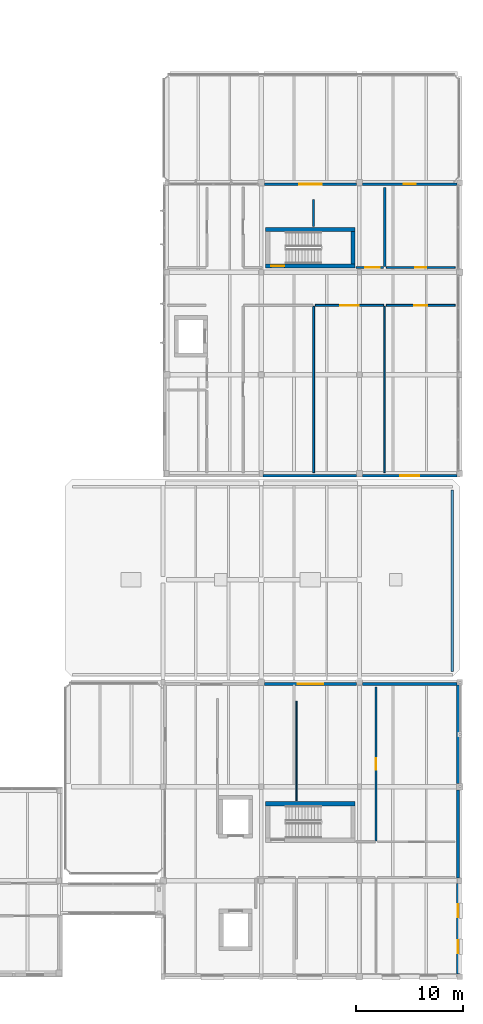
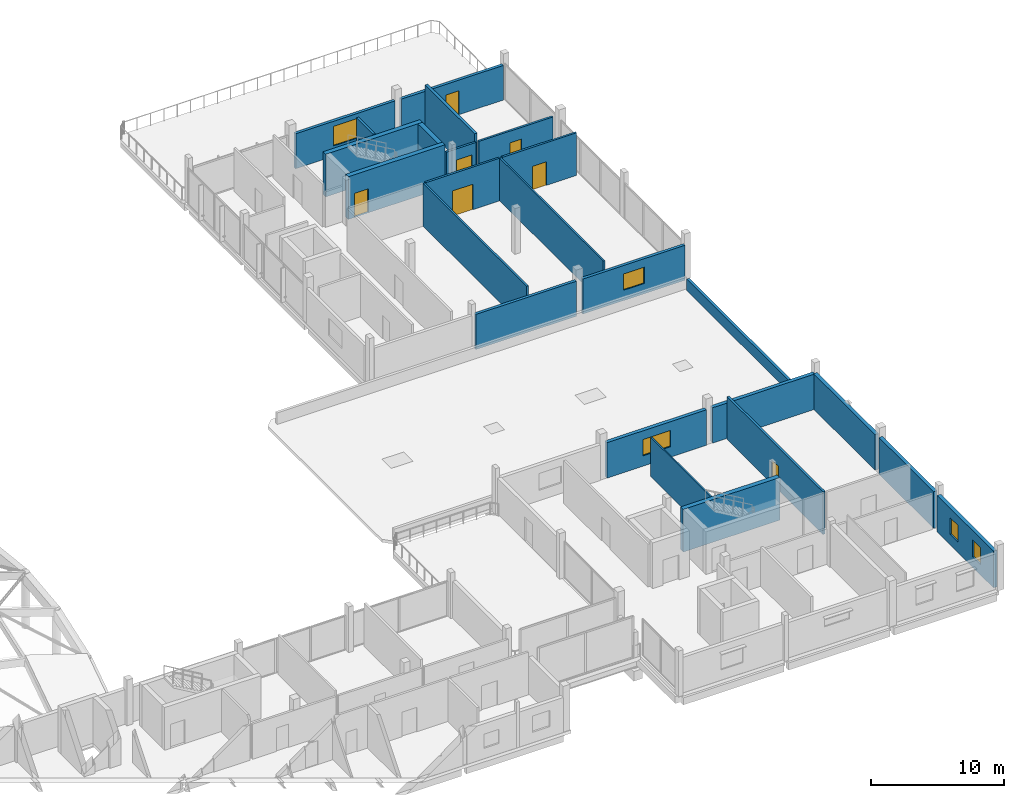
# One storey, part 29 of 41: 24 walls, 7 doors, 5 windows, 12 openings.
"""IFC4 building model written with IfcOpenShell, lengths in metres."""

from ifc_helpers import new_model, si_unit, direction, frame, frame_2d, origin, place, context, subcontext, project, spatial, rectangle, extrude, material, layer, layer_set, type_object, element, fill, save


model = new_model("IFC4")

# Units and contexts
model_context = context("Model", 3, precision=1e-05, world=origin(), true_north=direction((0.0, 1.0)))
body_context = subcontext(model_context, "Body", "Model", "MODEL_VIEW")
ifc_project = project(units=[si_unit("LENGTHUNIT", "METRE"), si_unit("AREAUNIT", "SQUARE_METRE"), si_unit("VOLUMEUNIT", "CUBIC_METRE"), si_unit("PLANEANGLEUNIT", "RADIAN"), si_unit("MASSUNIT", "GRAM", prefix="KILO")], contexts=[model_context])

# Site, building, storey
site_placement = place(None, origin())
site = spatial("IfcSite", under=ifc_project, at=site_placement, CompositionType="ELEMENT")
building_placement = place(site_placement, origin())
building = spatial("IfcBuilding", under=site, at=building_placement, Name="Birchvale Park Specialist Clinic", CompositionType="ELEMENT")
storey_placement = place(building_placement, frame((0.0, 0.0, 9.60009765625)))
storey = spatial("IfcBuildingStorey", under=building, at=storey_placement, Name="L02", CompositionType="ELEMENT", Elevation=9.60009765625)

# Wall, opening, door
ifc_material_1 = material(Name="Concrete C40/50", Category="concrete")
ifc_layer_1 = layer(ifc_material_1, 0.39990234375)
ifc_layer_set_1 = layer_set([ifc_layer_1], Name="Concrete C40/50")
wall_type_1 = type_object("IfcWallType", Name="WL-CW-120", PredefinedType="SHEAR", material=ifc_layer_set_1)
wall_1_placement = place(storey_placement, frame((137.60009765625, 83.39990234375, 0.0), z_axis=(0.0, 0.0, 1.0), x_axis=(1.0, 0.0, 0.0)))
wall_1 = element("IfcWall", 1, at=wall_1_placement, inside=storey, type_object=wall_type_1, Name="L02 stair ST3 EI 120 enclosure wall (south)", PredefinedType="SHEAR", context=body_context, shape_type="SweptSolid", body=[
    extrude(rectangle(XDim=8.39990234375, YDim=0.39990234375, at=frame_2d((4.199951171875, 0.0))), origin(), (0.0, 0.0, 1.0), 3.919921875),
])
opening_1_placement = place(wall_1_placement, frame((0.52001953125, 0.0, 0.0)))
opening_1 = element("IfcOpeningElement", 2, at=opening_1_placement, cuts=wall_1, Name="Opening ID-FD60", PredefinedType="OPENING", context=body_context, shape_type="SweptSolid", body=[
    extrude(rectangle(XDim=1.25, YDim=2.199951171875, at=frame_2d((0.625, 1.10009765625))), frame((0.0, 0.2099609375, 0.0), z_axis=(0.0, -1.0, 0.0), x_axis=(1.0, 0.0, 0.0)), (0.0, 0.0, 1.0), 0.419921875),
])
ifc_material_2 = material(Name="Solid-core birch veneer and anodised aluminium", Category="aluminium")
door_type_1 = type_object("IfcDoorType", Name="DR-ID-FD60", OperationType="NOTDEFINED", PredefinedType="DOOR", material=ifc_material_2)
door_1_placement = place(opening_1_placement, origin())
door_1 = element("IfcDoor", 3, at=door_1_placement, inside=storey, type_object=door_type_1, Name="L02 stair ST3 fire door", OperationType="SINGLE_SWING_RIGHT", OverallHeight=2.199951171875, OverallWidth=1.25, PredefinedType="DOOR", context=body_context, shape_type="SweptSolid", body=[
    extrude(rectangle(XDim=1.25, YDim=2.199951171875, at=frame_2d((0.625, 1.10009765625))), frame((0.0, 0.02490234375, 0.0), z_axis=(0.0, -1.0, 0.0), x_axis=(1.0, 0.0, 0.0)), (0.0, 0.0, 1.0), 0.050048828125),
])
fill(opening_1, door_1)

# Walls
wall_2_placement = place(storey_placement, frame((146.0, 86.800048828125, 0.0), z_axis=(0.0, 0.0, 1.0), x_axis=(-1.0, 0.0, 0.0)))
element("IfcWall", 4, at=wall_2_placement, inside=storey, type_object=wall_type_1, Name="L02 stair ST3 EI 120 enclosure wall (north)", PredefinedType="SHEAR", context=body_context, shape_type="SweptSolid", body=[
    extrude(rectangle(XDim=8.39990234375, YDim=0.39990234375, at=frame_2d((4.199951171875, 0.0))), origin(), (0.0, 0.0, 1.0), 3.919921875),
])
wall_3_placement = place(storey_placement, frame((145.800048828125, 86.60009765625, 0.0), z_axis=(0.0, 0.0, 1.0), x_axis=(0.0, -1.0, 0.0)))
element("IfcWall", 5, at=wall_3_placement, inside=storey, type_object=wall_type_1, Name="L02 stair ST3 EI 120 enclosure wall (east)", PredefinedType="SHEAR", context=body_context, shape_type="SweptSolid", body=[
    extrude(rectangle(XDim=3.0, YDim=0.39990234375, at=frame_2d((1.5, 0.0))), origin(), (0.0, 0.0, 1.0), 3.919921875),
])
wall_4_placement = place(storey_placement, frame((146.0, 33.0, 0.0), z_axis=(0.0, 0.0, 1.0), x_axis=(-1.0, 0.0, 0.0)))
element("IfcWall", 6, at=wall_4_placement, inside=storey, type_object=wall_type_1, Name="L02 stair ST6 EI 120 enclosure wall (north)", PredefinedType="SHEAR", context=body_context, shape_type="SweptSolid", body=[
    extrude(rectangle(XDim=8.39990234375, YDim=0.39990234375, at=frame_2d((4.199951171875, 0.0))), origin(), (0.0, 0.0, 1.0), 3.919921875),
])

# Wall, openings, windows
ifc_material_3 = material(Name="Lime-white mineral-rendered insulated masonry", Category="masonry")
ifc_layer_2 = layer(ifc_material_3, 0.31005859375)
ifc_layer_set_2 = layer_set([ifc_layer_2], Name="Lime-white mineral-rendered insulated masonry")
wall_type_2 = type_object("IfcWallType", Name="WL-EW-02", PredefinedType="STANDARD", material=ifc_layer_set_2)
wall_5_placement = place(storey_placement, frame((155.625, 17.070068359375, 0.0), z_axis=(0.0, 0.0, 1.0), x_axis=(0.0, 1.0, 0.0)))
wall_5 = element("IfcWall", 7, at=wall_5_placement, inside=storey, type_object=wall_type_2, Name="V5 L02 exterior facade wall 215", PredefinedType="STANDARD", context=body_context, shape_type="SweptSolid", body=[
    extrude(rectangle(XDim=8.4599609375, YDim=0.31005859375, at=frame_2d((4.22998046875, 0.0))), origin(), (0.0, 0.0, 1.0), 3.364990234375),
])
opening_2_placement = place(wall_5_placement, frame((1.9130859375, 0.0, 0.949951171875)))
opening_2 = element("IfcOpeningElement", 8, at=opening_2_placement, cuts=wall_5, Name="Opening W-CL14", PredefinedType="OPENING", context=body_context, shape_type="SweptSolid", body=[
    extrude(rectangle(XDim=1.25, YDim=1.550048828125, at=frame_2d((0.625, 0.77490234375))), frame((0.0, 0.1650390625, 0.0), z_axis=(0.0, -1.0, 0.0), x_axis=(1.0, 0.0, 0.0)), (0.0, 0.0, 1.0), 0.330078125),
])
opening_3_placement = place(wall_5_placement, frame((5.297119140625, 0.0, 0.949951171875)))
opening_3 = element("IfcOpeningElement", 9, at=opening_3_placement, cuts=wall_5, Name="Opening W-CL14", PredefinedType="OPENING", context=body_context, shape_type="SweptSolid", body=[
    extrude(rectangle(XDim=1.25, YDim=1.550048828125, at=frame_2d((0.625, 0.77490234375))), frame((0.0, 0.1650390625, 0.0), z_axis=(0.0, -1.0, 0.0), x_axis=(1.0, 0.0, 0.0)), (0.0, 0.0, 1.0), 0.330078125),
])
ifc_material_4 = material(Name="Solar-control low-E double glazing", Category="glass")
window_type_1 = type_object("IfcWindowType", Name="WIN-W-CL14", PartitioningType="SINGLE_PANEL", PredefinedType="WINDOW", material=ifc_material_4)
window_1_placement = place(opening_2_placement, origin())
window_1 = element("IfcWindow", 10, at=window_1_placement, inside=storey, type_object=window_type_1, Name="V5 L02 cased window 83", OverallHeight=1.550048828125, OverallWidth=1.25, PartitioningType="SINGLE_PANEL", PredefinedType="WINDOW", context=body_context, shape_type="SweptSolid", body=[
    extrude(rectangle(XDim=1.25, YDim=1.550048828125, at=frame_2d((0.625, 0.77490234375))), frame((0.0, 0.030029296875, 0.0), z_axis=(0.0, -1.0, 0.0), x_axis=(1.0, 0.0, 0.0)), (0.0, 0.0, 1.0), 0.06005859375),
])
fill(opening_2, window_1)
window_2_placement = place(opening_3_placement, origin())
window_2 = element("IfcWindow", 11, at=window_2_placement, inside=storey, type_object=window_type_1, Name="V5 L02 cased window 84", OverallHeight=1.550048828125, OverallWidth=1.25, PartitioningType="SINGLE_PANEL", PredefinedType="WINDOW", context=body_context, shape_type="SweptSolid", body=[
    extrude(rectangle(XDim=1.25, YDim=1.550048828125, at=frame_2d((0.625, 0.77490234375))), frame((0.0, 0.030029296875, 0.0), z_axis=(0.0, -1.0, 0.0), x_axis=(1.0, 0.0, 0.0)), (0.0, 0.0, 1.0), 0.06005859375),
])
fill(opening_3, window_2)

# Walls
wall_6_placement = place(storey_placement, frame((155.625, 26.070068359375, 0.0), z_axis=(0.0, 0.0, 1.0), x_axis=(0.0, 1.0, 0.0)))
element("IfcWall", 12, at=wall_6_placement, inside=storey, type_object=wall_type_2, Name="V5 L02 exterior facade wall 216", PredefinedType="STANDARD", context=body_context, shape_type="SweptSolid", body=[
    extrude(rectangle(XDim=8.23486328125, YDim=0.31005859375, at=frame_2d((4.117431640625, 0.0))), origin(), (0.0, 0.0, 1.0), 3.364990234375),
])
wall_7_placement = place(storey_placement, frame((155.625, 34.89501953125, 0.0), z_axis=(0.0, 0.0, 1.0), x_axis=(0.0, 1.0, 0.0)))
element("IfcWall", 13, at=wall_7_placement, inside=storey, type_object=wall_type_2, Name="V5 L02 exterior facade wall 217", PredefinedType="STANDARD", context=body_context, shape_type="SweptSolid", body=[
    extrude(rectangle(XDim=9.260009765625, YDim=0.31005859375, at=frame_2d((4.6298828125, 0.0))), origin(), (0.0, 0.0, 1.0), 3.264892578125),
])
wall_8_placement = place(storey_placement, frame((155.554931640625, 44.22509765625, 0.0), z_axis=(0.0, 0.0, 1.0), x_axis=(-1.0, 0.0, 0.0)))
element("IfcWall", 14, at=wall_8_placement, inside=storey, type_object=wall_type_2, Name="V5 L02 exterior facade wall 218", PredefinedType="STANDARD", context=body_context, shape_type="SweptSolid", body=[
    extrude(rectangle(XDim=8.885009765625, YDim=0.31005859375, at=frame_2d((4.4423828125, 0.0))), origin(), (0.0, 0.0, 1.0), 3.2548828125),
])

# Wall, opening, window
wall_9_placement = place(storey_placement, frame((146.1298828125, 44.22509765625, 0.0), z_axis=(0.0, 0.0, 1.0), x_axis=(-1.0, 0.0, 0.0)))
wall_9 = element("IfcWall", 15, at=wall_9_placement, inside=storey, type_object=wall_type_2, Name="V5 L02 exterior facade wall 219", PredefinedType="STANDARD", context=body_context, shape_type="SweptSolid", body=[
    extrude(rectangle(XDim=8.634765625, YDim=0.31005859375, at=frame_2d((4.3173828125, 0.0))), origin(), (0.0, 0.0, 1.0), 3.2548828125),
])
opening_4_placement = place(wall_9_placement, frame((3.117431640625, 0.0, 0.949951171875)))
opening_4 = element("IfcOpeningElement", 16, at=opening_4_placement, cuts=wall_9, Name="Opening W-CL08", PredefinedType="OPENING", context=body_context, shape_type="SweptSolid", body=[
    extrude(rectangle(XDim=2.39990234375, YDim=1.5, at=frame_2d((1.199951171875, 0.75))), frame((0.0, 0.1650390625, 0.0), z_axis=(0.0, -1.0, 0.0), x_axis=(1.0, 0.0, 0.0)), (0.0, 0.0, 1.0), 0.330078125),
])
window_type_2 = type_object("IfcWindowType", Name="WIN-W-CL08", PartitioningType="SINGLE_PANEL", PredefinedType="WINDOW", material=ifc_material_4)
window_3_placement = place(opening_4_placement, origin())
window_3 = element("IfcWindow", 17, at=window_3_placement, inside=storey, type_object=window_type_2, Name="V5 L02 cased window 85", OverallHeight=1.5, OverallWidth=2.39990234375, PartitioningType="SINGLE_PANEL", PredefinedType="WINDOW", context=body_context, shape_type="SweptSolid", body=[
    extrude(rectangle(XDim=2.39990234375, YDim=1.5, at=frame_2d((1.199951171875, 0.75))), frame((0.0, 0.030029296875, 0.0), z_axis=(0.0, -1.0, 0.0), x_axis=(1.0, 0.0, 0.0)), (0.0, 0.0, 1.0), 0.06005859375),
])
fill(opening_4, window_3)

# Wall
ifc_layer_3 = layer(ifc_material_3, 0.25)
ifc_layer_set_3 = layer_set([ifc_layer_3], Name="Lime-white mineral-rendered insulated masonry")
wall_type_3 = type_object("IfcWallType", Name="WL-EW-05", PredefinedType="STANDARD", material=ifc_layer_set_3)
wall_10_placement = place(storey_placement, frame((137.3798828125, 63.7451171875, 0.0), z_axis=(0.0, 0.0, 1.0), x_axis=(1.0, 0.0, 0.0)))
element("IfcWall", 18, at=wall_10_placement, inside=storey, type_object=wall_type_3, Name="V6 L02 exterior facade wall 223", PredefinedType="STANDARD", context=body_context, shape_type="SweptSolid", body=[
    extrude(rectangle(XDim=8.735107421875, YDim=0.25, at=frame_2d((4.36767578125, 0.0))), origin(), (0.0, 0.0, 1.0), 3.219970703125),
])

# Wall, opening, window
wall_11_placement = place(storey_placement, frame((146.68505859375, 63.7451171875, 0.0), z_axis=(0.0, 0.0, 1.0), x_axis=(1.0, 0.0, 0.0)))
wall_11 = element("IfcWall", 19, at=wall_11_placement, inside=storey, type_object=wall_type_3, Name="V6 L02 exterior facade wall 224", PredefinedType="STANDARD", context=body_context, shape_type="SweptSolid", body=[
    extrude(rectangle(XDim=8.85498046875, YDim=0.25, at=frame_2d((4.427490234375, 0.0))), origin(), (0.0, 0.0, 1.0), 3.219970703125),
])
opening_5_placement = place(wall_11_placement, frame((3.527587890625, 0.0, 0.949951171875)))
opening_5 = element("IfcOpeningElement", 20, at=opening_5_placement, cuts=wall_11, Name="Opening W-CL05", PredefinedType="OPENING", context=body_context, shape_type="SweptSolid", body=[
    extrude(rectangle(XDim=1.800048828125, YDim=1.5, at=frame_2d((0.89990234375, 0.75))), frame((0.0, 0.135009765625, 0.0), z_axis=(0.0, -1.0, 0.0), x_axis=(1.0, 0.0, 0.0)), (0.0, 0.0, 1.0), 0.27001953125),
])
window_type_3 = type_object("IfcWindowType", Name="WIN-W-CL05", PartitioningType="SINGLE_PANEL", PredefinedType="WINDOW", material=ifc_material_4)
window_4_placement = place(opening_5_placement, origin())
window_4 = element("IfcWindow", 21, at=window_4_placement, inside=storey, type_object=window_type_3, Name="V6 L02 cased window 87", OverallHeight=1.5, OverallWidth=1.800048828125, PartitioningType="SINGLE_PANEL", PredefinedType="WINDOW", context=body_context, shape_type="SweptSolid", body=[
    extrude(rectangle(XDim=1.800048828125, YDim=1.5, at=frame_2d((0.89990234375, 0.75))), frame((0.0, 0.030029296875, 0.0), z_axis=(0.0, -1.0, 0.0), x_axis=(1.0, 0.0, 0.0)), (0.0, 0.0, 1.0), 0.06005859375),
])
fill(opening_5, window_4)

# Wall, opening, door
wall_12_placement = place(storey_placement, frame((155.554931640625, 91.054931640625, 0.0), z_axis=(0.0, 0.0, 1.0), x_axis=(-1.0, 0.0, 0.0)))
wall_12 = element("IfcWall", 22, at=wall_12_placement, inside=storey, type_object=wall_type_3, Name="V6 L02 exterior facade wall 225", PredefinedType="STANDARD", context=body_context, shape_type="SweptSolid", body=[
    extrude(rectangle(XDim=8.885009765625, YDim=0.25, at=frame_2d((4.4423828125, 0.0))), origin(), (0.0, 0.0, 1.0), 3.184814453125),
])
opening_6_placement = place(wall_12_placement, frame((3.867431640625, 0.0, 0.0)))
opening_6 = element("IfcOpeningElement", 23, at=opening_6_placement, cuts=wall_12, Name="Opening ED-05", PredefinedType="OPENING", context=body_context, shape_type="SweptSolid", body=[
    extrude(rectangle(XDim=1.14990234375, YDim=2.199951171875, at=frame_2d((0.574951171875, 1.10009765625))), frame((0.0, 0.135009765625, 0.0), z_axis=(0.0, -1.0, 0.0), x_axis=(1.0, 0.0, 0.0)), (0.0, 0.0, 1.0), 0.27001953125),
])
ifc_material_5 = material(Name="Powder-coated aluminium and laminated safety glass", Category="aluminium")
door_type_2 = type_object("IfcDoorType", Name="DR-ED-05", OperationType="NOTDEFINED", PredefinedType="DOOR", material=ifc_material_5)
door_2_placement = place(opening_6_placement, frame((1.14990234375, 0.0, 0.0), z_axis=(0.0, 0.0, 1.0), x_axis=(-1.0, 0.0, 0.0)))
door_2 = element("IfcDoor", 24, at=door_2_placement, inside=storey, type_object=door_type_2, Name="V6 L02 accessible roof terrace door 36", OperationType="SINGLE_SWING_LEFT", OverallHeight=2.199951171875, OverallWidth=1.14990234375, PredefinedType="DOOR", context=body_context, shape_type="SweptSolid", body=[
    extrude(rectangle(XDim=1.14990234375, YDim=2.199951171875, at=frame_2d((0.574951171875, 1.10009765625))), frame((0.0, 0.02490234375, 0.0), z_axis=(0.0, -1.0, 0.0), x_axis=(1.0, 0.0, 0.0)), (0.0, 0.0, 1.0), 0.050048828125),
])
fill(opening_6, door_2)

# Wall, opening, window
wall_13_placement = place(storey_placement, frame((146.1298828125, 91.054931640625, 0.0), z_axis=(0.0, 0.0, 1.0), x_axis=(-1.0, 0.0, 0.0)))
wall_13 = element("IfcWall", 25, at=wall_13_placement, inside=storey, type_object=wall_type_3, Name="V6 L02 exterior facade wall 226", PredefinedType="STANDARD", context=body_context, shape_type="SweptSolid", body=[
    extrude(rectangle(XDim=8.634765625, YDim=0.25, at=frame_2d((4.3173828125, 0.0))), origin(), (0.0, 0.0, 1.0), 3.21484375),
])
opening_7_placement = place(wall_13_placement, frame((3.267578125, 0.0, 0.949951171875)))
opening_7 = element("IfcOpeningElement", 26, at=opening_7_placement, cuts=wall_13, Name="Opening W-CL07", PredefinedType="OPENING", context=body_context, shape_type="SweptSolid", body=[
    extrude(rectangle(XDim=2.10009765625, YDim=1.800048828125, at=frame_2d((1.050048828125, 0.89990234375))), frame((0.0, 0.135009765625, 0.0), z_axis=(0.0, -1.0, 0.0), x_axis=(1.0, 0.0, 0.0)), (0.0, 0.0, 1.0), 0.27001953125),
])
window_type_4 = type_object("IfcWindowType", Name="WIN-W-CL07", PartitioningType="SINGLE_PANEL", PredefinedType="WINDOW", material=ifc_material_4)
window_5_placement = place(opening_7_placement, origin())
window_5 = element("IfcWindow", 27, at=window_5_placement, inside=storey, type_object=window_type_4, Name="V6 L02 cased window 88", OverallHeight=1.800048828125, OverallWidth=2.10009765625, PartitioningType="SINGLE_PANEL", PredefinedType="WINDOW", context=body_context, shape_type="SweptSolid", body=[
    extrude(rectangle(XDim=2.10009765625, YDim=1.800048828125, at=frame_2d((1.050048828125, 0.89990234375))), frame((0.0, 0.030029296875, 0.0), z_axis=(0.0, -1.0, 0.0), x_axis=(1.0, 0.0, 0.0)), (0.0, 0.0, 1.0), 0.06005859375),
])
fill(opening_7, window_5)

# Walls
ifc_material_6 = material(Name="Acoustic gypsum board on metal framing")
ifc_layer_4 = layer(ifc_material_6, 0.1650390625)
ifc_layer_set_4 = layer_set([ifc_layer_4], Name="Acoustic gypsum board on metal framing")
wall_type_4 = type_object("IfcWallType", Name="WL-IW-01", PredefinedType="PARTITIONING", material=ifc_layer_set_4)
wall_14_placement = place(storey_placement, frame((142.106689453125, 79.6201171875, 0.0), z_axis=(0.0, 0.0, 1.0), x_axis=(0.0, -1.0, 0.0)))
element("IfcWall", 28, at=wall_14_placement, inside=storey, type_object=wall_type_4, Name="V6 L02 clinical partition 478", PredefinedType="PARTITIONING", context=body_context, shape_type="SweptSolid", body=[
    extrude(rectangle(XDim=15.580078125, YDim=0.1650390625, at=frame_2d((7.7900390625, 0.0))), origin(), (0.0, 0.0, 1.0), 3.919921875),
])
ifc_layer_5 = layer(ifc_material_6, 0.14990234375)
ifc_layer_set_5 = layer_set([ifc_layer_5], Name="Acoustic gypsum board on metal framing")
wall_type_5 = type_object("IfcWallType", Name="WL-IW-02", PredefinedType="PARTITIONING", material=ifc_layer_set_5)
wall_15_placement = place(storey_placement, frame((148.75341796875, 79.6201171875, 0.0), z_axis=(0.0, 0.0, 1.0), x_axis=(0.0, -1.0, 0.0)))
element("IfcWall", 29, at=wall_15_placement, inside=storey, type_object=wall_type_5, Name="V6 L02 clinical partition 481", PredefinedType="PARTITIONING", context=body_context, shape_type="SweptSolid", body=[
    extrude(rectangle(XDim=15.580078125, YDim=0.14990234375, at=frame_2d((7.7900390625, 0.0))), origin(), (0.0, 0.0, 1.0), 3.919921875),
])
ifc_layer_6 = layer(ifc_material_6, 0.125)
ifc_layer_set_6 = layer_set([ifc_layer_6], Name="Acoustic gypsum board on metal framing")
wall_type_6 = type_object("IfcWallType", Name="WL-IW-04", PredefinedType="PARTITIONING", material=ifc_layer_set_6)
wall_16_placement = place(storey_placement, frame((140.506591796875, 42.625, 0.0), z_axis=(0.0, 0.0, 1.0), x_axis=(0.0, -1.0, 0.0)))
element("IfcWall", 30, at=wall_16_placement, inside=storey, type_object=wall_type_6, Name="V5 L02 clinical partition 469", PredefinedType="PARTITIONING", context=body_context, shape_type="SweptSolid", body=[
    extrude(rectangle(XDim=9.324951171875, YDim=0.125, at=frame_2d((4.66259765625, 0.0))), origin(), (0.0, 0.0, 1.0), 3.598876953125),
])

# Wall, opening, door
ifc_layer_7 = layer(ifc_material_6, 0.195068359375)
ifc_layer_set_7 = layer_set([ifc_layer_7], Name="Acoustic gypsum board on metal framing")
wall_type_7 = type_object("IfcWallType", Name="WL-IW-07", PredefinedType="PARTITIONING", material=ifc_layer_set_7)
wall_17_placement = place(storey_placement, frame((147.953369140625, 43.9599609375, 0.0), z_axis=(0.0, 0.0, 1.0), x_axis=(0.0, -1.0, 0.0)))
wall_17 = element("IfcWall", 31, at=wall_17_placement, inside=storey, type_object=wall_type_7, Name="V5 L02 clinical partition 470", PredefinedType="PARTITIONING", context=body_context, shape_type="SweptSolid", body=[
    extrude(rectangle(XDim=14.429931640625, YDim=0.195068359375, at=frame_2d((7.21484375, 0.0))), origin(), (0.0, 0.0, 1.0), 3.919921875),
])
opening_8_placement = place(wall_17_placement, frame((6.675048828125, 0.0, 0.0)))
opening_8 = element("IfcOpeningElement", 32, at=opening_8_placement, cuts=wall_17, Name="Opening ID-03", PredefinedType="OPENING", context=body_context, shape_type="SweptSolid", body=[
    extrude(rectangle(XDim=1.080078125, YDim=2.199951171875, at=frame_2d((0.5400390625, 1.10009765625))), frame((0.0, 0.107421875, 0.0), z_axis=(0.0, -1.0, 0.0), x_axis=(1.0, 0.0, 0.0)), (0.0, 0.0, 1.0), 0.215087890625),
])
door_type_3 = type_object("IfcDoorType", Name="DR-ID-03", OperationType="NOTDEFINED", PredefinedType="DOOR", material=ifc_material_2)
door_3_placement = place(opening_8_placement, origin())
door_3 = element("IfcDoor", 33, at=door_3_placement, inside=storey, type_object=door_type_3, Name="V5 L02 clinical suite door 321", OperationType="SINGLE_SWING_LEFT", OverallHeight=2.199951171875, OverallWidth=1.080078125, PredefinedType="DOOR", context=body_context, shape_type="SweptSolid", body=[
    extrude(rectangle(XDim=1.080078125, YDim=2.199951171875, at=frame_2d((0.5400390625, 1.10009765625))), frame((0.0, 0.02490234375, 0.0), z_axis=(0.0, -1.0, 0.0), x_axis=(1.0, 0.0, 0.0)), (0.0, 0.0, 1.0), 0.050048828125),
])
fill(opening_8, door_3)

# Walls
wall_18_placement = place(storey_placement, frame((142.106689453125, 89.60498046875, 0.0), z_axis=(0.0, 0.0, 1.0), x_axis=(0.0, -1.0, 0.0)))
element("IfcWall", 34, at=wall_18_placement, inside=storey, type_object=wall_type_7, Name="V6 L02 clinical partition 487", PredefinedType="PARTITIONING", context=body_context, shape_type="SweptSolid", body=[
    extrude(rectangle(XDim=2.5048828125, YDim=0.195068359375, at=frame_2d((1.25244140625, 0.0))), origin(), (0.0, 0.0, 1.0), 3.919921875),
])
ifc_layer_8 = layer(ifc_material_6, 0.239990234375)
ifc_layer_set_8 = layer_set([ifc_layer_8], Name="Acoustic gypsum board on metal framing")
wall_type_8 = type_object("IfcWallType", Name="WL-IW-08", PredefinedType="PARTITIONING", material=ifc_layer_set_8)
wall_19_placement = place(storey_placement, frame((148.75341796875, 90.760009765625, 0.0), z_axis=(0.0, 0.0, 1.0), x_axis=(0.0, -1.0, 0.0)))
element("IfcWall", 35, at=wall_19_placement, inside=storey, type_object=wall_type_8, Name="V6 L02 clinical partition 488", PredefinedType="PARTITIONING", context=body_context, shape_type="SweptSolid", body=[
    extrude(rectangle(XDim=7.429931640625, YDim=0.239990234375, at=frame_2d((3.71484375, 0.0))), origin(), (0.0, 0.0, 1.0), 3.919921875),
])

# Wall, opening, door
ifc_layer_9 = layer(ifc_material_6, 0.179931640625)
ifc_layer_set_9 = layer_set([ifc_layer_9], Name="Acoustic gypsum board on metal framing")
wall_type_9 = type_object("IfcWallType", Name="WL-IW-60", PredefinedType="PARTITIONING", material=ifc_layer_set_9)
wall_20_placement = place(storey_placement, frame((142.2666015625, 79.699951171875, 0.0), z_axis=(0.0, 0.0, 1.0), x_axis=(1.0, 0.0, 0.0)))
wall_20 = element("IfcWall", 36, at=wall_20_placement, inside=storey, type_object=wall_type_9, Name="V6 L02 clinical partition 480", PredefinedType="PARTITIONING", context=body_context, shape_type="SweptSolid", body=[
    extrude(rectangle(XDim=6.40673828125, YDim=0.179931640625, at=frame_2d((3.203369140625, 0.0))), origin(), (0.0, 0.0, 1.0), 3.919921875),
])
opening_9_placement = place(wall_20_placement, frame((2.328369140625, 0.0, 0.0)))
opening_9 = element("IfcOpeningElement", 37, at=opening_9_placement, cuts=wall_20, Name="Opening ID-09", PredefinedType="OPENING", context=body_context, shape_type="SweptSolid", body=[
    extrude(rectangle(XDim=1.75, YDim=2.35009765625, at=frame_2d((0.875, 1.175048828125))), frame((0.0, 0.10009765625, 0.0), z_axis=(0.0, -1.0, 0.0), x_axis=(1.0, 0.0, 0.0)), (0.0, 0.0, 1.0), 0.199951171875),
])
door_type_4 = type_object("IfcDoorType", Name="DR-ID-09", OperationType="DOUBLE_DOOR_SINGLE_SWING", PredefinedType="DOOR", material=ifc_material_2)
door_4_placement = place(opening_9_placement, origin())
door_4 = element("IfcDoor", 38, at=door_4_placement, inside=storey, type_object=door_type_4, Name="L02 Clinical Seminar Room door", OperationType="DOUBLE_DOOR_SINGLE_SWING", OverallHeight=2.35009765625, OverallWidth=1.75, PredefinedType="DOOR", context=body_context, shape_type="SweptSolid", body=[
    extrude(rectangle(XDim=1.75, YDim=2.35009765625, at=frame_2d((0.875, 1.175048828125))), frame((0.0, 0.02490234375, 0.0), z_axis=(0.0, -1.0, 0.0), x_axis=(1.0, 0.0, 0.0)), (0.0, 0.0, 1.0), 0.050048828125),
])
fill(opening_9, door_4)

wall_21_placement = place(storey_placement, frame((148.913330078125, 79.699951171875, 0.0), z_axis=(0.0, 0.0, 1.0), x_axis=(1.0, 0.0, 0.0)))
wall_21 = element("IfcWall", 39, at=wall_21_placement, inside=storey, type_object=wall_type_9, Name="V6 L02 clinical partition 482", PredefinedType="PARTITIONING", context=body_context, shape_type="SweptSolid", body=[
    extrude(rectangle(XDim=6.44677734375, YDim=0.179931640625, at=frame_2d((3.223388671875, 0.0))), origin(), (0.0, 0.0, 1.0), 3.919921875),
])
opening_10_placement = place(wall_21_placement, frame((2.61328125, 0.0, 0.0)))
opening_10 = element("IfcOpeningElement", 40, at=opening_10_placement, cuts=wall_21, Name="Opening ID-10", PredefinedType="OPENING", context=body_context, shape_type="SweptSolid", body=[
    extrude(rectangle(XDim=1.219970703125, YDim=2.179931640625, at=frame_2d((0.60986328125, 1.08984375))), frame((0.0, 0.10009765625, 0.0), z_axis=(0.0, -1.0, 0.0), x_axis=(1.0, 0.0, 0.0)), (0.0, 0.0, 1.0), 0.199951171875),
])
door_type_5 = type_object("IfcDoorType", Name="DR-ID-10", OperationType="NOTDEFINED", PredefinedType="DOOR", material=ifc_material_2)
door_5_placement = place(opening_10_placement, origin())
door_5 = element("IfcDoor", 41, at=door_5_placement, inside=storey, type_object=door_type_5, Name="L02 Immunotherapy Research Laboratory door", OperationType="SINGLE_SWING_RIGHT", OverallHeight=2.179931640625, OverallWidth=1.219970703125, PredefinedType="DOOR", context=body_context, shape_type="SweptSolid", body=[
    extrude(rectangle(XDim=1.219970703125, YDim=2.179931640625, at=frame_2d((0.60986328125, 1.08984375))), frame((0.0, 0.02490234375, 0.0), z_axis=(0.0, -1.0, 0.0), x_axis=(1.0, 0.0, 0.0)), (0.0, 0.0, 1.0), 0.050048828125),
])
fill(opening_10, door_5)

wall_22_placement = place(storey_placement, frame((148.67333984375, 83.25, 0.0), z_axis=(0.0, 0.0, 1.0), x_axis=(-1.0, 0.0, 0.0)))
wall_22 = element("IfcWall", 42, at=wall_22_placement, inside=storey, type_object=wall_type_9, Name="V6 L02 clinical partition 489", PredefinedType="PARTITIONING", context=body_context, shape_type="SweptSolid", body=[
    extrude(rectangle(XDim=2.5732421875, YDim=0.179931640625, at=frame_2d((1.28662109375, 0.0))), origin(), (0.0, 0.0, 1.0), 3.224853515625),
])
opening_11_placement = place(wall_22_placement, frame((0.36181640625, 0.0, 0.0)))
opening_11 = element("IfcOpeningElement", 43, at=opening_11_placement, cuts=wall_22, Name="Opening ID-FD30", PredefinedType="OPENING", context=body_context, shape_type="SweptSolid", body=[
    extrude(rectangle(XDim=1.35009765625, YDim=2.199951171875, at=frame_2d((0.675048828125, 1.10009765625))), frame((0.0, 0.10009765625, 0.0), z_axis=(0.0, -1.0, 0.0), x_axis=(1.0, 0.0, 0.0)), (0.0, 0.0, 1.0), 0.199951171875),
])
door_type_6 = type_object("IfcDoorType", Name="DR-ID-FD30", OperationType="NOTDEFINED", PredefinedType="DOOR", material=ifc_material_2)
door_6_placement = place(opening_11_placement, origin())
door_6 = element("IfcDoor", 44, at=door_6_placement, inside=storey, type_object=door_type_6, Name="L02 Cell-Culture Cleanroom Lab door", OperationType="SINGLE_SWING_LEFT", OverallHeight=2.199951171875, OverallWidth=1.35009765625, PredefinedType="DOOR", context=body_context, shape_type="SweptSolid", body=[
    extrude(rectangle(XDim=1.35009765625, YDim=2.199951171875, at=frame_2d((0.675048828125, 1.10009765625))), frame((0.0, 0.02490234375, 0.0), z_axis=(0.0, -1.0, 0.0), x_axis=(1.0, 0.0, 0.0)), (0.0, 0.0, 1.0), 0.050048828125),
])
fill(opening_11, door_6)

wall_23_placement = place(storey_placement, frame((155.360107421875, 83.25, 0.0), z_axis=(0.0, 0.0, 1.0), x_axis=(-1.0, 0.0, 0.0)))
wall_23 = element("IfcWall", 45, at=wall_23_placement, inside=storey, type_object=wall_type_9, Name="V6 L02 clinical partition 490", PredefinedType="PARTITIONING", context=body_context, shape_type="SweptSolid", body=[
    extrude(rectangle(XDim=6.44677734375, YDim=0.179931640625, at=frame_2d((3.223388671875, 0.0))), origin(), (0.0, 0.0, 1.0), 3.224853515625),
])
opening_12_placement = place(wall_23_placement, frame((2.723388671875, 0.0, 0.0)))
opening_12 = element("IfcOpeningElement", 46, at=opening_12_placement, cuts=wall_23, Name="Opening ID-01", PredefinedType="OPENING", context=body_context, shape_type="SweptSolid", body=[
    extrude(rectangle(XDim=1.0, YDim=2.14990234375, at=frame_2d((0.5, 1.074951171875))), frame((0.0, 0.10009765625, 0.0), z_axis=(0.0, -1.0, 0.0), x_axis=(1.0, 0.0, 0.0)), (0.0, 0.0, 1.0), 0.199951171875),
])
door_type_7 = type_object("IfcDoorType", Name="DR-ID-01", OperationType="NOTDEFINED", PredefinedType="DOOR", material=ifc_material_2)
door_7_placement = place(opening_12_placement, origin())
door_7 = element("IfcDoor", 47, at=door_7_placement, inside=storey, type_object=door_type_7, Name="L02 Simulation Teaching Studio door", OperationType="SINGLE_SWING_RIGHT", OverallHeight=2.14990234375, OverallWidth=1.0, PredefinedType="DOOR", context=body_context, shape_type="SweptSolid", body=[
    extrude(rectangle(XDim=1.0, YDim=2.14990234375, at=frame_2d((0.5, 1.074951171875))), frame((0.0, 0.02490234375, 0.0), z_axis=(0.0, -1.0, 0.0), x_axis=(1.0, 0.0, 0.0)), (0.0, 0.0, 1.0), 0.050048828125),
])
fill(opening_12, door_7)

# Wall
ifc_layer_10 = layer(ifc_material_3, 0.22998046875)
ifc_layer_set_10 = layer_set([ifc_layer_10], Name="Lime-white mineral-rendered insulated masonry")
wall_type_10 = type_object("IfcWallType", Name="WL-PW-01", PredefinedType="PARAPET", material=ifc_layer_set_10)
wall_24_placement = place(storey_placement, frame((155.10009765625, 45.39990234375, 0.0), z_axis=(0.0, 0.0, 1.0), x_axis=(0.0, 1.0, 0.0)))
element("IfcWall", 48, at=wall_24_placement, inside=storey, type_object=wall_type_10, Name="L02 roof edge parapet 14", PredefinedType="PARAPET", context=body_context, shape_type="SweptSolid", body=[
    extrude(rectangle(XDim=17.0, YDim=0.22998046875, at=frame_2d((8.5, 0.0))), origin(), (0.0, 0.0, 1.0), 1.0498046875),
])

save(model, "model.ifc")
